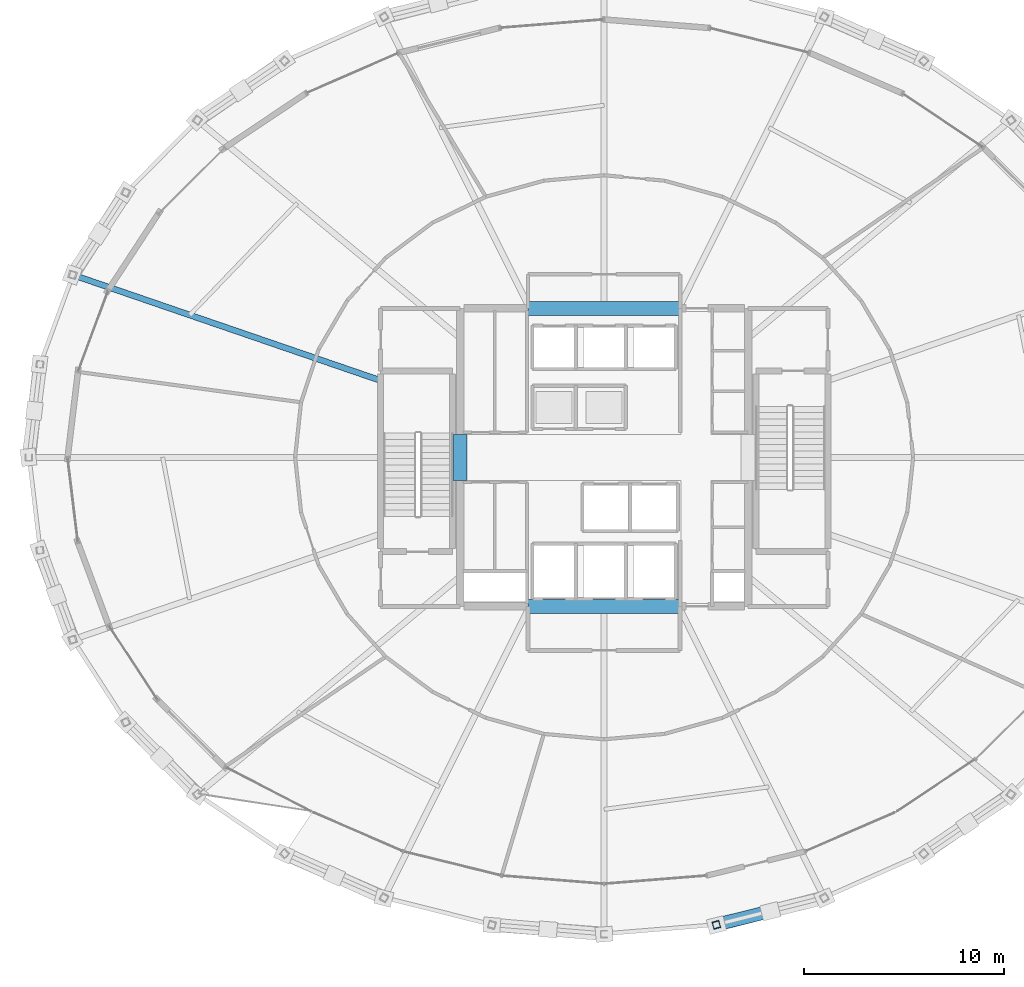
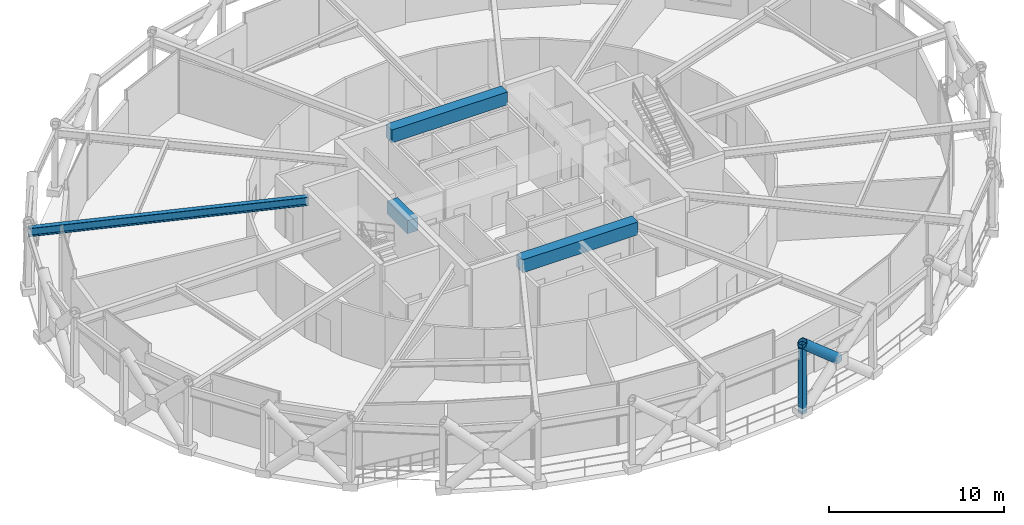
# One storey, part 10 of 39: 4 beams, 2 members.
"""IFC4 building model written with IfcOpenShell, lengths in metres."""

from ifc_helpers import new_model, si_unit, direction, frame, origin, origin_2d, place, context, subcontext, project, spatial, rectangle, hollow_rectangle, hollow_circle, i_section, extrude, material, material_profile, profile_set, type_object, element, save


model = new_model("IFC4")

# Units and contexts
model_context = context("Model", 3, precision=1e-05, world=origin(), true_north=direction((0.0, 1.0)))
body_context = subcontext(model_context, "Body", "Model", "MODEL_VIEW")
ifc_project = project(units=[si_unit("LENGTHUNIT", "METRE"), si_unit("AREAUNIT", "SQUARE_METRE"), si_unit("VOLUMEUNIT", "CUBIC_METRE"), si_unit("PLANEANGLEUNIT", "RADIAN"), si_unit("MASSUNIT", "GRAM", prefix="KILO")], contexts=[model_context])

# Site, building, storey
site_placement = place(None, origin())
site = spatial("IfcSite", under=ifc_project, at=site_placement, CompositionType="ELEMENT")
building_placement = place(site_placement, origin())
building = spatial("IfcBuilding", under=site, at=building_placement, Name="Veldorina Hangang Commons", CompositionType="ELEMENT")
storey_placement = place(building_placement, frame((0.0, 0.0, 106.0)))
storey = spatial("IfcBuildingStorey", under=building, at=storey_placement, Name="L27", CompositionType="ELEMENT", Elevation=106.0)

# Beams
ifc_material_1 = material(Name="Concrete C70/85", Category="concrete")
ifc_material_profile_1 = material_profile(ifc_material_1, rectangle(XDim=0.699951171875, YDim=0.89990234375, at=origin_2d()), Name="RC-CB-700x900")
ifc_profile_set_1 = profile_set([ifc_material_profile_1], Name="Concrete C70/85")
beam_type_1 = type_object("IfcBeamType", Name="BM-CB900", PredefinedType="LINTEL", material=ifc_profile_set_1)
beam_1_placement = place(storey_placement, frame((24.800048828125, 22.85009765625, 3.989990234375), z_axis=(0.0, 1.0, 0.0), x_axis=(-1.0, 0.0, 0.0)))
element("IfcBeam", 1, at=beam_1_placement, inside=storey, type_object=beam_type_1, Name="L27 W core coupling lintel beam", PredefinedType="LINTEL", context=body_context, shape_type="SweptSolid", body=[
    extrude(rectangle(XDim=0.699951171875, YDim=0.89990234375, at=origin_2d()), origin(), (0.0, 0.0, 1.0), 2.2998046875),
])
for number, where, z_axis, x_axis, name in (
    (2, (28.199951171875, 16.550048828125, 3.989990234375), (1.0, 0.0, 0.0), (0.0, 1.0, 0.0), "L27 south core coupling beam"),
    (3, (28.199951171875, 31.449951171875, 3.989990234375), (1.0, 0.0, 0.0), (0.0, 1.0, 0.0), "L27 north core coupling beam"),
):
    element("IfcBeam", number, at=place(storey_placement, frame(where, z_axis=z_axis, x_axis=x_axis)), inside=storey, type_object=beam_type_1, Name=name, PredefinedType="LINTEL", context=body_context, shape_type="SweptSolid", body=[
        extrude(rectangle(XDim=0.699951171875, YDim=0.89990234375, at=origin_2d()), origin(), (0.0, 0.0, 1.0), 7.60009765625),
    ])
ifc_material_2 = material(Name="Steel SM460-TMC", Category="steel")
ifc_material_profile_2 = material_profile(ifc_material_2, i_section(OverallWidth=0.300048828125, OverallDepth=0.587890625, WebThickness=0.011962890625, FlangeThickness=0.02001953125, FilletRadius=0.01806640625, at=origin_2d()), Name="H-588x300x12x20")
ifc_profile_set_2 = profile_set([ifc_material_profile_2], Name="Steel SM460-TMC")
beam_type_2 = type_object("IfcBeamType", Name="BM-FG588", PredefinedType="BEAM", material=ifc_profile_set_2)
beam_2_placement = place(storey_placement, frame((20.820068359375, 27.837646484375, 4.14599609375), z_axis=(-0.945834039523, 0.324650534699, 0.0), x_axis=(-0.324650534699, -0.945834039523, 0.0)))
element("IfcBeam", 4, at=beam_2_placement, inside=storey, type_object=beam_type_2, Name="L27 radial floor girder 08", PredefinedType="BEAM", context=body_context, shape_type="SweptSolid", body=[
    extrude(i_section(OverallWidth=0.300048828125, OverallDepth=0.587890625, WebThickness=0.011962890625, FlangeThickness=0.02001953125, FilletRadius=0.01806640625, at=origin_2d()), origin(), (0.0, 0.0, 1.0), 16.262939453125),
])

# Members
ifc_material_profile_3 = material_profile(ifc_material_2, hollow_circle(Radius=0.324951171875, WallThickness=0.031982421875, at=origin_2d()), Name="CHS-650x32")
ifc_profile_set_3 = profile_set([ifc_material_profile_3], Name="Steel SM460-TMC")
member_type_1 = type_object("IfcMemberType", Name="DG-CHS650", PredefinedType="BRACE", material=ifc_profile_set_3)
member_1_placement = place(storey_placement, frame((40.3095703125, 1.30126953125, 2.401611328125), z_axis=(-0.735460258201, -0.181106922429, 0.652915378327), x_axis=(0.239106870112, -0.970993256756, 0.0)))
element("IfcMember", 5, at=member_1_placement, inside=storey, type_object=member_type_1, Name="L27 split perimeter diagrid upper brace 26", PredefinedType="BRACE", context=body_context, shape_type="SweptSolid", body=[
    extrude(hollow_circle(Radius=0.324951171875, WallThickness=0.031982421875, at=origin_2d()), origin(), (0.0, 0.0, 1.0), 3.67333984375),
])
ifc_material_3 = material(Name="Steel SM355-TMC", Category="steel")
ifc_material_profile_4 = material_profile(ifc_material_3, hollow_rectangle(XDim=0.35009765625, YDim=0.35009765625, WallThickness=0.01611328125, at=origin_2d()), Name="SHS-350x350x16")
ifc_profile_set_4 = profile_set([ifc_material_profile_4], Name="Steel SM355-TMC")
member_type_2 = type_object("IfcMemberType", Name="STR-SHS350", PredefinedType="STRUT", material=ifc_profile_set_4)
member_2_placement = place(storey_placement, frame((37.615234375, 0.610107421875, 0.0), z_axis=(-0.001525839432, 0.005391299328, 0.99998430273), x_axis=(-0.962206045824, -0.272322465799, 0.0)))
element("IfcMember", 6, at=member_2_placement, inside=storey, type_object=member_type_2, Name="L27 perimeter ring node post 25", PredefinedType="STRUT", context=body_context, shape_type="SweptSolid", body=[
    extrude(hollow_rectangle(XDim=0.35009765625, YDim=0.35009765625, WallThickness=0.01611328125, at=origin_2d()), origin(), (0.0, 0.0, 1.0), 4.800048828125),
])

save(model, "model.ifc")
